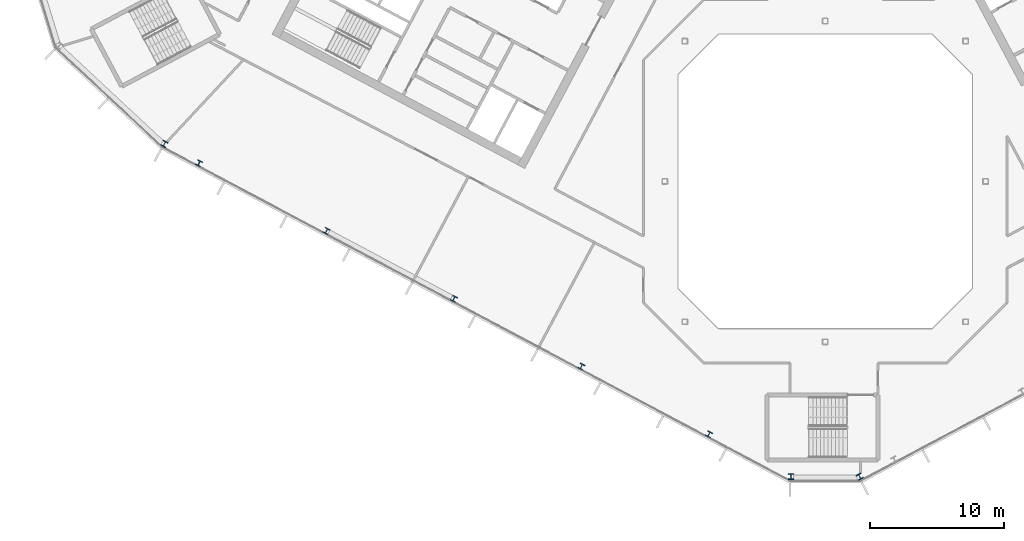
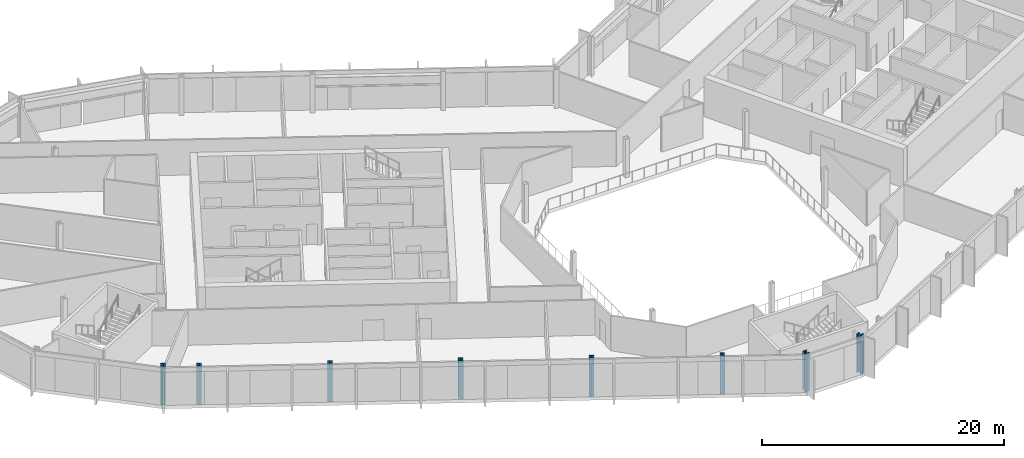
# One storey, part 1 of 26: 8 columns.
"""IFC4 building model written with IfcOpenShell, lengths in metres."""

from ifc_helpers import new_model, si_unit, direction, frame, origin, origin_2d, place, context, subcontext, project, spatial, i_section, extrude, material, material_profile, profile_set, type_object, element, save


model = new_model("IFC4")

# Units and contexts
model_context = context("Model", 3, precision=1e-05, world=origin(), true_north=direction((0.0, 1.0)))
body_context = subcontext(model_context, "Body", "Model", "MODEL_VIEW")
ifc_project = project(units=[si_unit("LENGTHUNIT", "METRE"), si_unit("AREAUNIT", "SQUARE_METRE"), si_unit("VOLUMEUNIT", "CUBIC_METRE"), si_unit("PLANEANGLEUNIT", "RADIAN"), si_unit("MASSUNIT", "GRAM", prefix="KILO")], contexts=[model_context])

# Site, building, storey
site_placement = place(None, origin())
site = spatial("IfcSite", under=ifc_project, at=site_placement, CompositionType="ELEMENT")
building_placement = place(site_placement, origin())
building = spatial("IfcBuilding", under=site, at=building_placement, Name="Cormorant Relay Tower", CompositionType="ELEMENT")
storey_placement = place(building_placement, frame((0.0, 0.0, 220.800048828125)))
storey = spatial("IfcBuildingStorey", under=building, at=storey_placement, Name="L48", CompositionType="ELEMENT", Elevation=220.800048828125)

# Columns
ifc_material_1 = material(Name="Steel ASTM A992 (Fy 345 MPa)", Category="steel")
ifc_material_profile_1 = material_profile(ifc_material_1, i_section(OverallWidth=0.40380859375, OverallDepth=0.406494140625, WebThickness=0.027099609375, FlangeThickness=0.043701171875, FilletRadius=0.01513671875, at=origin_2d()), Name="W360x347")
ifc_profile_set_1 = profile_set([ifc_material_profile_1], Name="Steel ASTM A992 (Fy 345 MPa)")
column_type_1 = type_object("IfcColumnType", Name="Column W360x347", PredefinedType="COLUMN", material=ifc_profile_set_1)
for number, where, z_axis, x_axis, name in (
    (1, (-8.700927734375, -18.919921875, 0.0), (0.0, 0.0, 1.0), (0.882947592859, -0.469471562786, 0.0), "Column L48-004"),
    (2, (-18.237060546875, -13.85009765625, 0.0), (0.0, 0.0, 1.0), (0.882947592859, -0.469471562786, 0.0), "Column L48-006"),
    (3, (-27.77197265625, -8.779052734375, 0.0), (0.0, 0.0, 1.0), (0.882947592859, -0.469471562786, 0.0), "Column L48-011"),
    (4, (-37.30810546875, -3.708984375, 0.0), (0.0, 0.0, 1.0), (0.882947592859, -0.469471562786, 0.0), "Column L48-013"),
    (5, (-46.843994140625, 1.361083984375, 0.0), (0.0, 0.0, 1.0), (0.882947592859, -0.469471562786, 0.0), "Column L48-017"),
):
    element("IfcColumn", number, at=place(storey_placement, frame(where, z_axis=z_axis, x_axis=x_axis)), inside=storey, type_object=column_type_1, Name=name, PredefinedType="COLUMN", context=body_context, shape_type="SweptSolid", body=[
        extrude(i_section(OverallWidth=0.40380859375, OverallDepth=0.406494140625, WebThickness=0.027099609375, FlangeThickness=0.043701171875, FilletRadius=0.01513671875, at=origin_2d()), origin(), (0.0, 0.0, 1.0), 3.89990234375),
    ])
ifc_material_2 = material(Name="Steel ASTM A992 (Fy 345 MPa)", Category="steel")
ifc_material_profile_2 = material_profile(ifc_material_2, i_section(OverallWidth=0.41162109375, OverallDepth=0.434326171875, WebThickness=0.035888671875, FlangeThickness=0.057373046875, FilletRadius=0.01513671875, at=origin_2d()), Name="W360x463")
ifc_profile_set_2 = profile_set([ifc_material_profile_2], Name="Steel ASTM A992 (Fy 345 MPa)")
column_type_2 = type_object("IfcColumnType", Name="Column W360x463", PredefinedType="COLUMN", material=ifc_profile_set_2)
for number, where, z_axis, x_axis, name in (
    (6, (-2.575927734375, -22.083984375, 0.0), (0.0, 0.0, 1.0), (1.0, 0.0, 0.0), "Column L48-001"),
    (7, (2.575927734375, -22.083984375, 0.0), (0.0, 0.0, 1.0), (0.882947592859, 0.469471562786, 0.0), "Column L48-002"),
    (8, (-49.43505859375, 2.803955078125, 0.0), (0.0, 0.0, 1.0), (0.882947592859, -0.469471562786, 0.0), "Column L48-018"),
):
    element("IfcColumn", number, at=place(storey_placement, frame(where, z_axis=z_axis, x_axis=x_axis)), inside=storey, type_object=column_type_2, Name=name, PredefinedType="COLUMN", context=body_context, shape_type="SweptSolid", body=[
        extrude(i_section(OverallWidth=0.41162109375, OverallDepth=0.434326171875, WebThickness=0.035888671875, FlangeThickness=0.057373046875, FilletRadius=0.01513671875, at=origin_2d()), origin(), (0.0, 0.0, 1.0), 3.89990234375),
    ])

save(model, "model.ifc")
